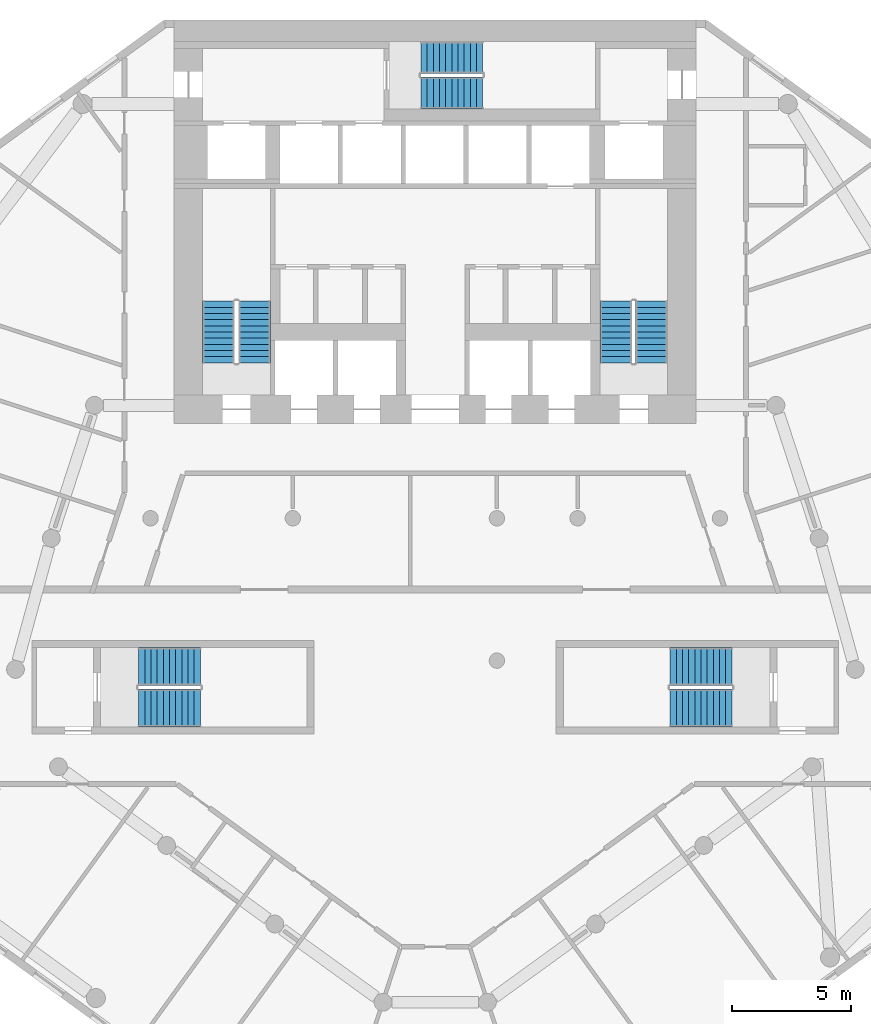
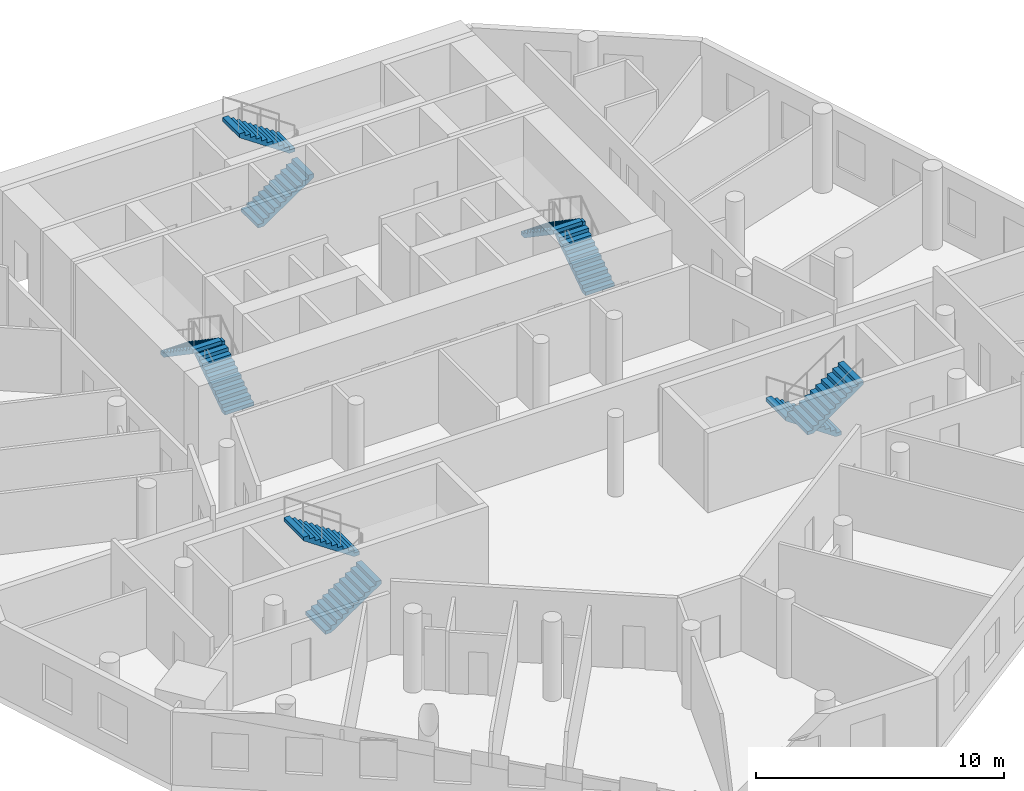
# One storey, part 7 of 9: 10 stair flights, 5 elements without a shape of their own.
"""IFC4 building model written with IfcOpenShell, lengths in metres."""

from ifc_helpers import new_model, si_unit, direction, frame, origin, place, context, subcontext, project, spatial, polyline, outline, extrude, material, layer, layer_set, type_object, element, aggregate, save


model = new_model("IFC4")

# Units and contexts
model_context = context("Model", 3, precision=1e-05, world=origin(), true_north=direction((0.0, 1.0)))
body_context = subcontext(model_context, "Body", "Model", "MODEL_VIEW")
ifc_project = project(units=[si_unit("LENGTHUNIT", "METRE"), si_unit("AREAUNIT", "SQUARE_METRE"), si_unit("VOLUMEUNIT", "CUBIC_METRE"), si_unit("PLANEANGLEUNIT", "RADIAN"), si_unit("MASSUNIT", "GRAM", prefix="KILO")], contexts=[model_context])

# Site, building, storey
site_placement = place(None, origin())
site = spatial("IfcSite", under=ifc_project, at=site_placement, CompositionType="ELEMENT")
building_placement = place(site_placement, origin())
building = spatial("IfcBuilding", under=site, at=building_placement, Name="White Candle Pilgrim Tower", CompositionType="ELEMENT")
storey_placement = place(building_placement, frame((0.0, 0.0, 81.89990234375)))
storey = spatial("IfcBuildingStorey", under=building, at=storey_placement, Name="L17", CompositionType="ELEMENT", Elevation=81.89990234375)

# Stair, stair flights
ifc_material = material(Name="Concrete C40/50", Category="concrete")
stair_type_1 = type_object("IfcStairType", Name="Exit stair 1 flight width 1350 mm", PredefinedType="HALF_TURN_STAIR", material=ifc_material)
stair_1_placement = place(storey_placement, origin())
stair_1 = element("IfcStair", 1, at=stair_1_placement, inside=storey, type_object=stair_type_1, Name="L17 stair 1", PredefinedType="NOTDEFINED")
ifc_layer = layer(ifc_material, 0.14990234375)
ifc_layer_set = layer_set([ifc_layer], Name="Stair flight Concrete C40/50")
stair_flight_type = type_object("IfcStairFlightType", Name="Stair flight Concrete C40/50", PredefinedType="STRAIGHT", material=ifc_layer_set)
stair_flight_1_placement = place(storey_placement, frame((62.375, 73.550048828125, 0.0), z_axis=(0.0, 0.0, 1.0), x_axis=(0.0, 1.0, 0.0)))
stair_flight_1 = element("IfcStairFlight", 2, at=stair_flight_1_placement, type_object=stair_flight_type, Name="ST1 flight 1", NumberOfRisers=11, NumberOfTreads=10, PredefinedType="NOTDEFINED", RiserHeight=0.177272727, TreadLength=0.26, context=body_context, shape_type="SweptSolid", body=[
    extrude(outline(polyline([(0.0, 0.0), (0.0, 0.17724609375), (0.260009765625, 0.17724609375), (0.260009765625, 0.3544921875), (0.52001953125, 0.3544921875), (0.52001953125, 0.53173828125), (0.780029296875, 0.53173828125), (0.780029296875, 0.708984375), (1.0400390625, 0.708984375), (1.0400390625, 0.886474609375), (1.300048828125, 0.886474609375), (1.300048828125, 1.063720703125), (1.56005859375, 1.063720703125), (1.56005859375, 1.240966796875), (1.820068359375, 1.240966796875), (1.820068359375, 1.418212890625), (2.080078125, 1.418212890625), (2.080078125, 1.595458984375), (2.340087890625, 1.595458984375), (2.340087890625, 1.772705078125), (2.60009765625, 1.772705078125), (2.60009765625, 1.949951171875), (2.60009765625, 1.59130859375), (0.26611328125, 0.0), (0.0, 0.0)])), frame((0.0, 0.675048828125, 0.0), z_axis=(0.0, -1.0, 0.0), x_axis=(1.0, 0.0, 0.0)), (0.0, 0.0, 1.0), 1.35009765625),
])
stair_flight_2_placement = place(storey_placement, frame((60.875, 76.14990234375, 1.9501953125), z_axis=(0.0, 0.0, 1.0), x_axis=(0.0, -1.0, 0.0)))
stair_flight_2 = element("IfcStairFlight", 3, at=stair_flight_2_placement, type_object=stair_flight_type, Name="ST1 flight 2", NumberOfRisers=11, NumberOfTreads=10, PredefinedType="NOTDEFINED", RiserHeight=0.177272727, TreadLength=0.26, context=body_context, shape_type="SweptSolid", body=[
    extrude(outline(polyline([(0.0, 0.0), (0.0, 0.17724609375), (0.260009765625, 0.17724609375), (0.260009765625, 0.3544921875), (0.52001953125, 0.3544921875), (0.52001953125, 0.53173828125), (0.780029296875, 0.53173828125), (0.780029296875, 0.708984375), (1.0400390625, 0.708984375), (1.0400390625, 0.886474609375), (1.300048828125, 0.886474609375), (1.300048828125, 1.063720703125), (1.56005859375, 1.063720703125), (1.56005859375, 1.240966796875), (1.820068359375, 1.240966796875), (1.820068359375, 1.418212890625), (2.080078125, 1.418212890625), (2.080078125, 1.595458984375), (2.340087890625, 1.595458984375), (2.340087890625, 1.772705078125), (2.60009765625, 1.772705078125), (2.60009765625, 1.949951171875), (2.60009765625, 1.59130859375), (0.26611328125, 0.0), (0.0, 0.0)])), frame((0.0, 0.675048828125, 0.0), z_axis=(0.0, -1.0, 0.0), x_axis=(1.0, 0.0, 0.0)), (0.0, 0.0, 1.0), 1.35009765625),
])
aggregate(stair_1, [stair_flight_1, stair_flight_2])

stair_type_2 = type_object("IfcStairType", Name="Exit stair 2 flight width 1350 mm", PredefinedType="HALF_TURN_STAIR", material=ifc_material)
stair_2_placement = place(storey_placement, origin())
stair_2 = element("IfcStair", 4, at=stair_2_placement, inside=storey, type_object=stair_type_2, Name="L17 stair 2", PredefinedType="NOTDEFINED")
stair_flight_3_placement = place(storey_placement, frame((79.125, 73.550048828125, 0.0), z_axis=(0.0, 0.0, 1.0), x_axis=(0.0, 1.0, 0.0)))
stair_flight_3 = element("IfcStairFlight", 5, at=stair_flight_3_placement, type_object=stair_flight_type, Name="ST2 flight 1", NumberOfRisers=11, NumberOfTreads=10, PredefinedType="NOTDEFINED", RiserHeight=0.177272727, TreadLength=0.26, context=body_context, shape_type="SweptSolid", body=[
    extrude(outline(polyline([(0.0, 0.0), (0.0, 0.17724609375), (0.260009765625, 0.17724609375), (0.260009765625, 0.3544921875), (0.52001953125, 0.3544921875), (0.52001953125, 0.53173828125), (0.780029296875, 0.53173828125), (0.780029296875, 0.708984375), (1.0400390625, 0.708984375), (1.0400390625, 0.886474609375), (1.300048828125, 0.886474609375), (1.300048828125, 1.063720703125), (1.56005859375, 1.063720703125), (1.56005859375, 1.240966796875), (1.820068359375, 1.240966796875), (1.820068359375, 1.418212890625), (2.080078125, 1.418212890625), (2.080078125, 1.595458984375), (2.340087890625, 1.595458984375), (2.340087890625, 1.772705078125), (2.60009765625, 1.772705078125), (2.60009765625, 1.949951171875), (2.60009765625, 1.59130859375), (0.26611328125, 0.0), (0.0, 0.0)])), frame((0.0, 0.675048828125, 0.0), z_axis=(0.0, -1.0, 0.0), x_axis=(1.0, 0.0, 0.0)), (0.0, 0.0, 1.0), 1.35009765625),
])
stair_flight_4_placement = place(storey_placement, frame((77.625, 76.14990234375, 1.9501953125), z_axis=(0.0, 0.0, 1.0), x_axis=(0.0, -1.0, 0.0)))
stair_flight_4 = element("IfcStairFlight", 6, at=stair_flight_4_placement, type_object=stair_flight_type, Name="ST2 flight 2", NumberOfRisers=11, NumberOfTreads=10, PredefinedType="NOTDEFINED", RiserHeight=0.177272727, TreadLength=0.26, context=body_context, shape_type="SweptSolid", body=[
    extrude(outline(polyline([(0.0, 0.0), (0.0, 0.17724609375), (0.260009765625, 0.17724609375), (0.260009765625, 0.3544921875), (0.52001953125, 0.3544921875), (0.52001953125, 0.53173828125), (0.780029296875, 0.53173828125), (0.780029296875, 0.708984375), (1.0400390625, 0.708984375), (1.0400390625, 0.886474609375), (1.300048828125, 0.886474609375), (1.300048828125, 1.063720703125), (1.56005859375, 1.063720703125), (1.56005859375, 1.240966796875), (1.820068359375, 1.240966796875), (1.820068359375, 1.418212890625), (2.080078125, 1.418212890625), (2.080078125, 1.595458984375), (2.340087890625, 1.595458984375), (2.340087890625, 1.772705078125), (2.60009765625, 1.772705078125), (2.60009765625, 1.949951171875), (2.60009765625, 1.59130859375), (0.26611328125, 0.0), (0.0, 0.0)])), frame((0.0, 0.675048828125, 0.0), z_axis=(0.0, -1.0, 0.0), x_axis=(1.0, 0.0, 0.0)), (0.0, 0.0, 1.0), 1.35009765625),
])
aggregate(stair_2, [stair_flight_3, stair_flight_4])

stair_type_3 = type_object("IfcStairType", Name="Exit stair 3 flight width 1350 mm", PredefinedType="HALF_TURN_STAIR", material=ifc_material)
stair_3_placement = place(storey_placement, origin())
stair_3 = element("IfcStair", 7, at=stair_3_placement, inside=storey, type_object=stair_type_3, Name="L17 stair 3", PredefinedType="NOTDEFINED")
stair_flight_5_placement = place(storey_placement, frame((69.39990234375, 84.925048828125, 0.0), z_axis=(0.0, 0.0, 1.0), x_axis=(1.0, 0.0, 0.0)))
stair_flight_5 = element("IfcStairFlight", 8, at=stair_flight_5_placement, type_object=stair_flight_type, Name="ST3 flight 1", NumberOfRisers=11, NumberOfTreads=10, PredefinedType="NOTDEFINED", RiserHeight=0.177272727, TreadLength=0.26, context=body_context, shape_type="SweptSolid", body=[
    extrude(outline(polyline([(0.0, 0.0), (0.0, 0.17724609375), (0.260009765625, 0.17724609375), (0.260009765625, 0.3544921875), (0.52001953125, 0.3544921875), (0.52001953125, 0.53173828125), (0.780029296875, 0.53173828125), (0.780029296875, 0.708984375), (1.0400390625, 0.708984375), (1.0400390625, 0.886474609375), (1.300048828125, 0.886474609375), (1.300048828125, 1.063720703125), (1.56005859375, 1.063720703125), (1.56005859375, 1.240966796875), (1.820068359375, 1.240966796875), (1.820068359375, 1.418212890625), (2.080078125, 1.418212890625), (2.080078125, 1.595458984375), (2.340087890625, 1.595458984375), (2.340087890625, 1.772705078125), (2.60009765625, 1.772705078125), (2.60009765625, 1.949951171875), (2.60009765625, 1.59130859375), (0.26611328125, 0.0), (0.0, 0.0)])), frame((0.0, 0.675048828125, 0.0), z_axis=(0.0, -1.0, 0.0), x_axis=(1.0, 0.0, 0.0)), (0.0, 0.0, 1.0), 1.35009765625),
])
stair_flight_6_placement = place(storey_placement, frame((72.0, 86.425048828125, 1.9501953125), z_axis=(0.0, 0.0, 1.0), x_axis=(-1.0, 0.0, 0.0)))
stair_flight_6 = element("IfcStairFlight", 9, at=stair_flight_6_placement, type_object=stair_flight_type, Name="ST3 flight 2", NumberOfRisers=11, NumberOfTreads=10, PredefinedType="NOTDEFINED", RiserHeight=0.177272727, TreadLength=0.26, context=body_context, shape_type="SweptSolid", body=[
    extrude(outline(polyline([(0.0, 0.0), (0.0, 0.17724609375), (0.260009765625, 0.17724609375), (0.260009765625, 0.3544921875), (0.52001953125, 0.3544921875), (0.52001953125, 0.53173828125), (0.780029296875, 0.53173828125), (0.780029296875, 0.708984375), (1.0400390625, 0.708984375), (1.0400390625, 0.886474609375), (1.300048828125, 0.886474609375), (1.300048828125, 1.063720703125), (1.56005859375, 1.063720703125), (1.56005859375, 1.240966796875), (1.820068359375, 1.240966796875), (1.820068359375, 1.418212890625), (2.080078125, 1.418212890625), (2.080078125, 1.595458984375), (2.340087890625, 1.595458984375), (2.340087890625, 1.772705078125), (2.60009765625, 1.772705078125), (2.60009765625, 1.949951171875), (2.60009765625, 1.59130859375), (0.26611328125, 0.0), (0.0, 0.0)])), frame((0.0, 0.675048828125, 0.0), z_axis=(0.0, -1.0, 0.0), x_axis=(1.0, 0.0, 0.0)), (0.0, 0.0, 1.0), 1.35009765625),
])
aggregate(stair_3, [stair_flight_5, stair_flight_6])

stair_type_4 = type_object("IfcStairType", Name="Exit stair 4 flight width 1600 mm", PredefinedType="HALF_TURN_STAIR", material=ifc_material)
stair_4_placement = place(storey_placement, origin())
stair_4 = element("IfcStair", 10, at=stair_4_placement, inside=storey, type_object=stair_type_4, Name="L17 stair 4", PredefinedType="NOTDEFINED")
stair_flight_7_placement = place(storey_placement, frame((82.5, 60.75, 0.0), z_axis=(0.0, 0.0, 1.0), x_axis=(-1.0, 0.0, 0.0)))
stair_flight_7 = element("IfcStairFlight", 11, at=stair_flight_7_placement, type_object=stair_flight_type, Name="ST4 flight 1", NumberOfRisers=11, NumberOfTreads=10, PredefinedType="NOTDEFINED", RiserHeight=0.177272727, TreadLength=0.26, context=body_context, shape_type="SweptSolid", body=[
    extrude(outline(polyline([(0.0, 0.0), (0.0, 0.17724609375), (0.260009765625, 0.17724609375), (0.260009765625, 0.3544921875), (0.52001953125, 0.3544921875), (0.52001953125, 0.53173828125), (0.780029296875, 0.53173828125), (0.780029296875, 0.708984375), (1.0400390625, 0.708984375), (1.0400390625, 0.886474609375), (1.300048828125, 0.886474609375), (1.300048828125, 1.063720703125), (1.56005859375, 1.063720703125), (1.56005859375, 1.240966796875), (1.820068359375, 1.240966796875), (1.820068359375, 1.418212890625), (2.080078125, 1.418212890625), (2.080078125, 1.595458984375), (2.340087890625, 1.595458984375), (2.340087890625, 1.772705078125), (2.60009765625, 1.772705078125), (2.60009765625, 1.949951171875), (2.60009765625, 1.59130859375), (0.26611328125, 0.0), (0.0, 0.0)])), frame((0.0, 0.800048828125, 0.0), z_axis=(0.0, -1.0, 0.0), x_axis=(1.0, 0.0, 0.0)), (0.0, 0.0, 1.0), 1.60009765625),
])
stair_flight_8_placement = place(storey_placement, frame((79.89990234375, 59.0, 1.9501953125), z_axis=(0.0, 0.0, 1.0), x_axis=(1.0, 0.0, 0.0)))
stair_flight_8 = element("IfcStairFlight", 12, at=stair_flight_8_placement, type_object=stair_flight_type, Name="ST4 flight 2", NumberOfRisers=11, NumberOfTreads=10, PredefinedType="NOTDEFINED", RiserHeight=0.177272727, TreadLength=0.26, context=body_context, shape_type="SweptSolid", body=[
    extrude(outline(polyline([(0.0, 0.0), (0.0, 0.17724609375), (0.260009765625, 0.17724609375), (0.260009765625, 0.3544921875), (0.52001953125, 0.3544921875), (0.52001953125, 0.53173828125), (0.780029296875, 0.53173828125), (0.780029296875, 0.708984375), (1.0400390625, 0.708984375), (1.0400390625, 0.886474609375), (1.300048828125, 0.886474609375), (1.300048828125, 1.063720703125), (1.56005859375, 1.063720703125), (1.56005859375, 1.240966796875), (1.820068359375, 1.240966796875), (1.820068359375, 1.418212890625), (2.080078125, 1.418212890625), (2.080078125, 1.595458984375), (2.340087890625, 1.595458984375), (2.340087890625, 1.772705078125), (2.60009765625, 1.772705078125), (2.60009765625, 1.949951171875), (2.60009765625, 1.59130859375), (0.26611328125, 0.0), (0.0, 0.0)])), frame((0.0, 0.800048828125, 0.0), z_axis=(0.0, -1.0, 0.0), x_axis=(1.0, 0.0, 0.0)), (0.0, 0.0, 1.0), 1.60009765625),
])
aggregate(stair_4, [stair_flight_7, stair_flight_8])

stair_type_5 = type_object("IfcStairType", Name="Exit stair 5 flight width 1600 mm", PredefinedType="HALF_TURN_STAIR", material=ifc_material)
stair_5_placement = place(storey_placement, origin())
stair_5 = element("IfcStair", 13, at=stair_5_placement, inside=storey, type_object=stair_type_5, Name="L17 stair 5", PredefinedType="NOTDEFINED")
stair_flight_9_placement = place(storey_placement, frame((57.5, 59.0, 0.0), z_axis=(0.0, 0.0, 1.0), x_axis=(1.0, 0.0, 0.0)))
stair_flight_9 = element("IfcStairFlight", 14, at=stair_flight_9_placement, type_object=stair_flight_type, Name="ST5 flight 1", NumberOfRisers=11, NumberOfTreads=10, PredefinedType="NOTDEFINED", RiserHeight=0.177272727, TreadLength=0.26, context=body_context, shape_type="SweptSolid", body=[
    extrude(outline(polyline([(0.0, 0.0), (0.0, 0.17724609375), (0.260009765625, 0.17724609375), (0.260009765625, 0.3544921875), (0.52001953125, 0.3544921875), (0.52001953125, 0.53173828125), (0.780029296875, 0.53173828125), (0.780029296875, 0.708984375), (1.0400390625, 0.708984375), (1.0400390625, 0.886474609375), (1.300048828125, 0.886474609375), (1.300048828125, 1.063720703125), (1.56005859375, 1.063720703125), (1.56005859375, 1.240966796875), (1.820068359375, 1.240966796875), (1.820068359375, 1.418212890625), (2.080078125, 1.418212890625), (2.080078125, 1.595458984375), (2.340087890625, 1.595458984375), (2.340087890625, 1.772705078125), (2.60009765625, 1.772705078125), (2.60009765625, 1.949951171875), (2.60009765625, 1.59130859375), (0.26611328125, 0.0), (0.0, 0.0)])), frame((0.0, 0.800048828125, 0.0), z_axis=(0.0, -1.0, 0.0), x_axis=(1.0, 0.0, 0.0)), (0.0, 0.0, 1.0), 1.60009765625),
])
stair_flight_10_placement = place(storey_placement, frame((60.10009765625, 60.75, 1.9501953125), z_axis=(0.0, 0.0, 1.0), x_axis=(-1.0, 0.0, 0.0)))
stair_flight_10 = element("IfcStairFlight", 15, at=stair_flight_10_placement, type_object=stair_flight_type, Name="ST5 flight 2", NumberOfRisers=11, NumberOfTreads=10, PredefinedType="NOTDEFINED", RiserHeight=0.177272727, TreadLength=0.26, context=body_context, shape_type="SweptSolid", body=[
    extrude(outline(polyline([(0.0, 0.0), (0.0, 0.17724609375), (0.260009765625, 0.17724609375), (0.260009765625, 0.3544921875), (0.52001953125, 0.3544921875), (0.52001953125, 0.53173828125), (0.780029296875, 0.53173828125), (0.780029296875, 0.708984375), (1.0400390625, 0.708984375), (1.0400390625, 0.886474609375), (1.300048828125, 0.886474609375), (1.300048828125, 1.063720703125), (1.56005859375, 1.063720703125), (1.56005859375, 1.240966796875), (1.820068359375, 1.240966796875), (1.820068359375, 1.418212890625), (2.080078125, 1.418212890625), (2.080078125, 1.595458984375), (2.340087890625, 1.595458984375), (2.340087890625, 1.772705078125), (2.60009765625, 1.772705078125), (2.60009765625, 1.949951171875), (2.60009765625, 1.59130859375), (0.26611328125, 0.0), (0.0, 0.0)])), frame((0.0, 0.800048828125, 0.0), z_axis=(0.0, -1.0, 0.0), x_axis=(1.0, 0.0, 0.0)), (0.0, 0.0, 1.0), 1.60009765625),
])
aggregate(stair_5, [stair_flight_9, stair_flight_10])

save(model, "model.ifc")
